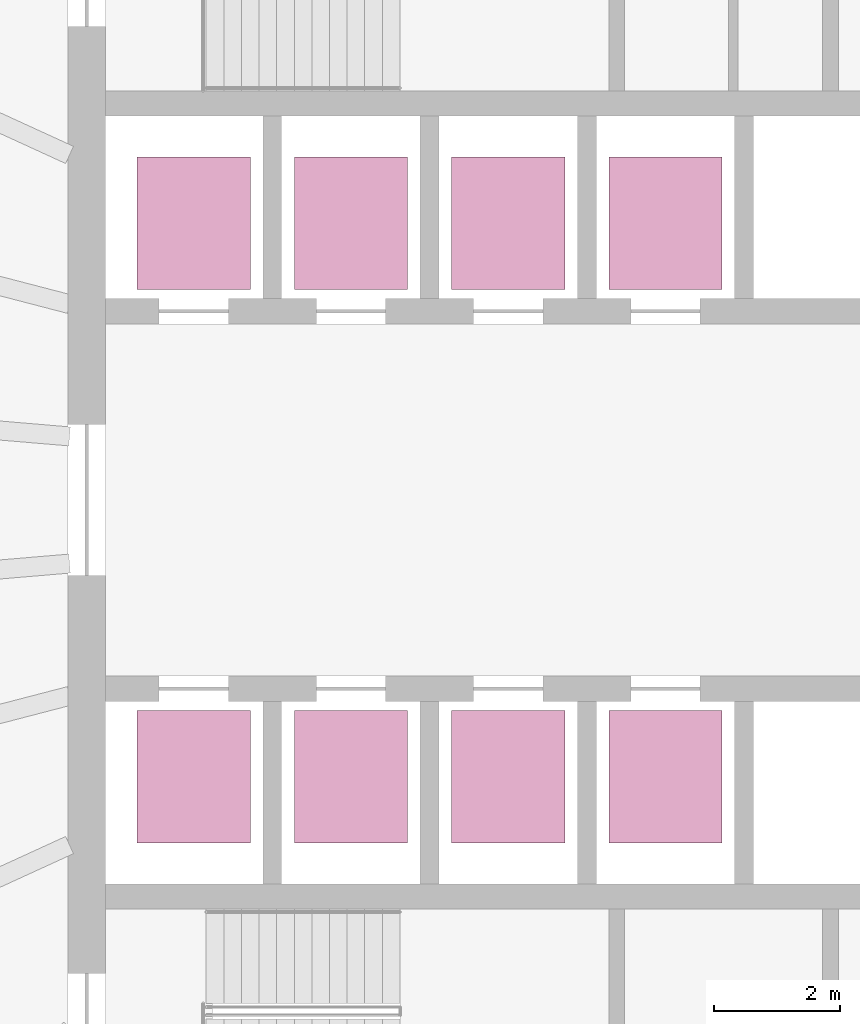
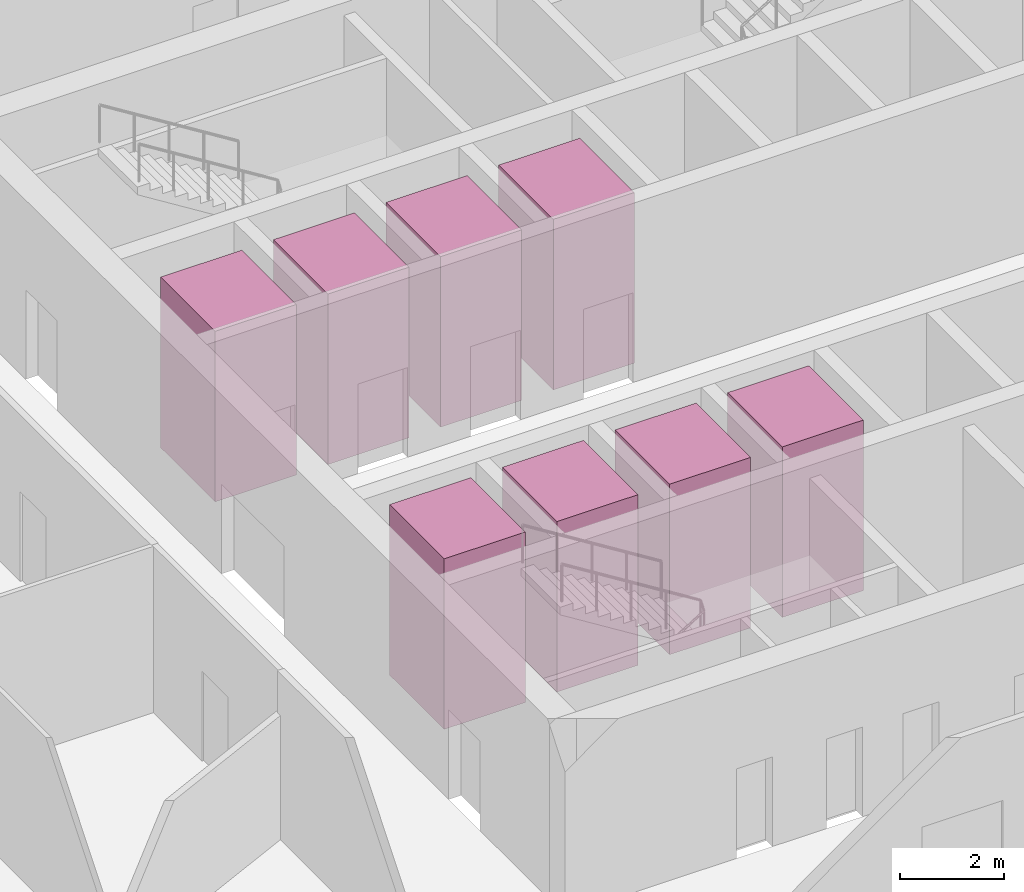
# One storey, part 10 of 10: 8 transport elements.
"""IFC4 building model written with IfcOpenShell, lengths in metres."""

from ifc_helpers import new_model, si_unit, direction, frame, origin, origin_2d, place, context, subcontext, project, spatial, rectangle, extrude, material, type_object, element, save


model = new_model("IFC4")

# Units and contexts
model_context = context("Model", 3, precision=1e-05, world=origin(), true_north=direction((0.0, 1.0)))
body_context = subcontext(model_context, "Body", "Model", "MODEL_VIEW")
ifc_project = project(units=[si_unit("LENGTHUNIT", "METRE"), si_unit("AREAUNIT", "SQUARE_METRE"), si_unit("VOLUMEUNIT", "CUBIC_METRE"), si_unit("PLANEANGLEUNIT", "RADIAN"), si_unit("MASSUNIT", "GRAM", prefix="KILO")], contexts=[model_context])

# Site, building, storey
site_placement = place(None, origin())
site = spatial("IfcSite", under=ifc_project, at=site_placement, CompositionType="ELEMENT")
building_placement = place(site_placement, origin())
building = spatial("IfcBuilding", under=site, at=building_placement, Name="Halqa Exchange Tower", CompositionType="ELEMENT")
storey_placement = place(building_placement, frame((0.0, 0.0, 61.300048828125)))
storey = spatial("IfcBuildingStorey", under=building, at=storey_placement, Name="L13", CompositionType="ELEMENT", Elevation=61.300048828125)

# Transport elements
ifc_material = material(Name="Stainless steel", Category="steel")
transport_element_type = type_object("IfcTransportElementType", Name="Low-rise passenger lift 1800 x 2100", PredefinedType="ELEVATOR", material=ifc_material)
for number, where, z_axis, x_axis, name in (
    (1, (-10.0, 4.39990234375, 0.0), (0.0, 0.0, 1.0), (1.0, 0.0, 0.0), "Low-rise passenger lift LR1"),
    (2, (-7.5, 4.39990234375, 0.0), (0.0, 0.0, 1.0), (1.0, 0.0, 0.0), "Low-rise passenger lift LR2"),
    (3, (-5.0, 4.39990234375, 0.0), (0.0, 0.0, 1.0), (1.0, 0.0, 0.0), "Low-rise passenger lift LR3"),
    (4, (-2.5, 4.39990234375, 0.0), (0.0, 0.0, 1.0), (1.0, 0.0, 0.0), "Low-rise passenger lift LR4"),
    (5, (-10.0, -4.39990234375, 0.0), (0.0, 0.0, 1.0), (1.0, 0.0, 0.0), "Low-rise passenger lift LR5"),
    (6, (-7.5, -4.39990234375, 0.0), (0.0, 0.0, 1.0), (1.0, 0.0, 0.0), "Low-rise passenger lift LR6"),
    (7, (-5.0, -4.39990234375, 0.0), (0.0, 0.0, 1.0), (1.0, 0.0, 0.0), "Low-rise passenger lift LR7"),
    (8, (-2.5, -4.39990234375, 0.0), (0.0, 0.0, 1.0), (1.0, 0.0, 0.0), "Low-rise passenger lift LR8"),
):
    element("IfcTransportElement", number, at=place(storey_placement, frame(where, z_axis=z_axis, x_axis=x_axis)), inside=storey, type_object=transport_element_type, Name=name, PredefinedType="ELEVATOR", context=body_context, shape_type="SweptSolid", body=[
        extrude(rectangle(XDim=1.800048828125, YDim=2.10009765625, at=origin_2d()), origin(), (0.0, 0.0, 1.0), 4.0),
    ])

save(model, "model.ifc")
